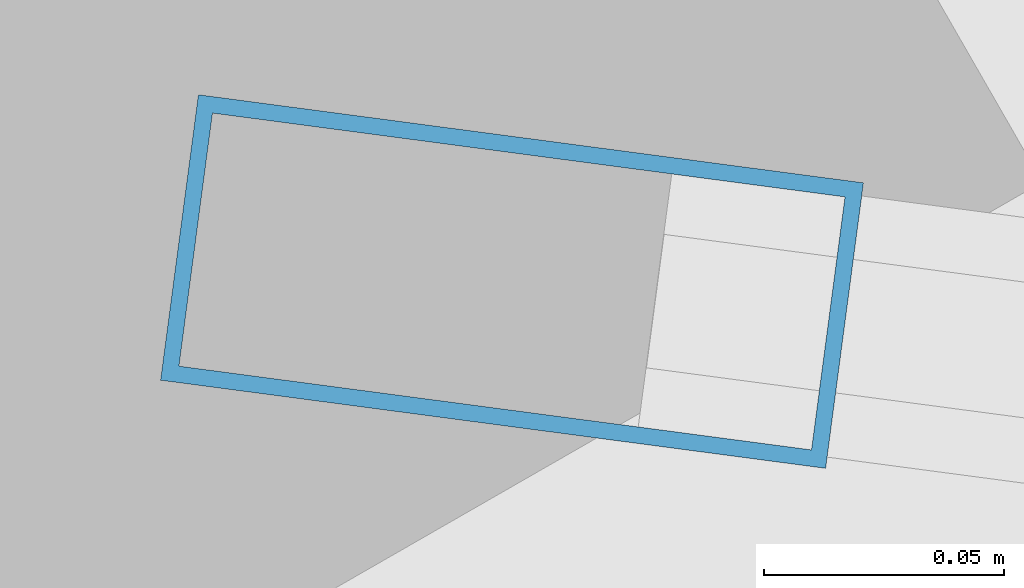
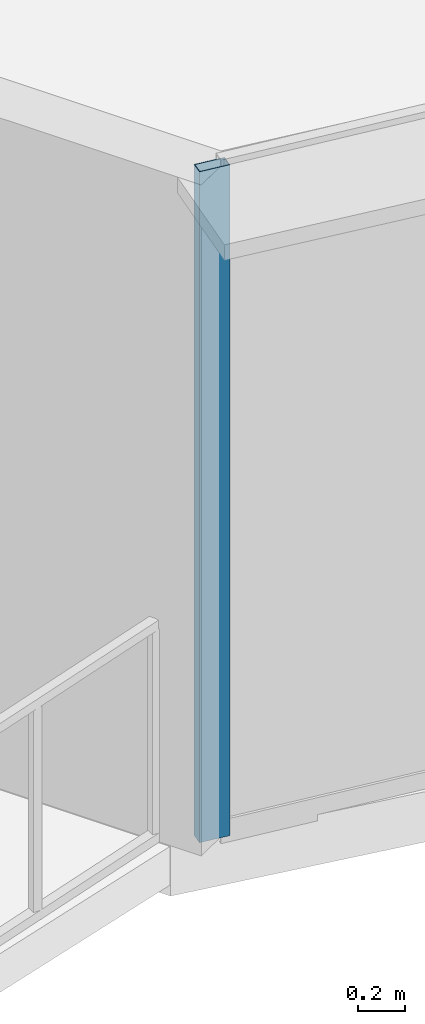
# One storey, part 2 of 37: 1 member, 1 element without a shape of its own.
"""IFC4 building model written with IfcOpenShell, lengths in metres."""

from ifc_helpers import new_model, si_unit, direction, frame, origin, origin_2d, place, context, subcontext, project, spatial, hollow_rectangle, extrude, source, transform, mapped, material, layer, layer_set, material_profile, profile_set, type_object, element, aggregate, save


model = new_model("IFC4")

# Units and contexts
model_context = context("Model", 3, precision=1e-05, world=origin(), true_north=direction((0.0, 1.0)))
body_context = subcontext(model_context, "Body", "Model", "MODEL_VIEW")
ifc_project = project(units=[si_unit("LENGTHUNIT", "METRE"), si_unit("AREAUNIT", "SQUARE_METRE"), si_unit("VOLUMEUNIT", "CUBIC_METRE"), si_unit("PLANEANGLEUNIT", "RADIAN"), si_unit("MASSUNIT", "GRAM", prefix="KILO"), si_unit("THERMODYNAMICTEMPERATUREUNIT", "KELVIN"), si_unit("POWERUNIT", "WATT")], contexts=[model_context])

# Site, building, storey
site_placement = place(None, origin())
site = spatial("IfcSite", under=ifc_project, at=site_placement, CompositionType="ELEMENT")
building_placement = place(site_placement, origin())
building = spatial("IfcBuilding", under=site, at=building_placement, Name="Yunzhuo Pagoda Commons", CompositionType="ELEMENT")
storey_placement = place(building_placement, frame((0.0, 0.0, 281.2900390625)))
storey = spatial("IfcBuildingStorey", under=building, at=storey_placement, Name="L70", CompositionType="ELEMENT", Elevation=281.2900390625)

# Curtain wall, member
ifc_material = material(Name="Anodized aluminium 6063-T6", Category="aluminium")
ifc_layer = layer(ifc_material, 0.139892578125)
ifc_layer_set = layer_set([ifc_layer], Name="Anodized aluminium 6063-T6")
curtain_wall_type = type_object("IfcCurtainWallType", Name="CW-HI High-Zone Ribbon Curtain Wall", PredefinedType="NOTDEFINED", material=ifc_layer_set)
curtain_wall_placement = place(storey_placement, origin())
curtain_wall = element("IfcCurtainWall", 1, at=curtain_wall_placement, inside=storey, type_object=curtain_wall_type, Name="L70 curtain wall CW-L70-F1B1", PredefinedType="NOTDEFINED")
ifc_material_profile = material_profile(ifc_material, hollow_rectangle(XDim=0.06005859375, YDim=0.139892578125, WallThickness=0.00341796875, at=origin_2d()), Name="Anodized aluminium 6063-T6")
ifc_profile_set = profile_set([ifc_material_profile], Name="Anodized aluminium 6063-T6")
member_type = type_object("IfcMemberType", Name="CW-HI-M Mullion RHS 140x60x3.5", PredefinedType="MULLION", material=ifc_profile_set)
shared_shape = source(origin(), body_context, "Body", "SweptSolid", [
    extrude(hollow_rectangle(XDim=0.06005859375, YDim=0.139892578125, WallThickness=0.00341796875, at=origin_2d()), origin(), (0.0, 0.0, 1.0), 3.469970703125),
])
member_placement = place(storey_placement, frame((19.035888671875, 20.89306640625, 0.0), z_axis=(0.0, 0.0, 1.0), x_axis=(0.131311416098, 0.991341168318, 0.0)))
member = element("IfcMember", 2, at=member_placement, type_object=member_type, Name="CW mullion 1", PredefinedType="MULLION", context=body_context, shape_type="MappedRepresentation", body=[
    mapped(shared_shape, transform((0.0, 0.0, 0.0), scale=1.0)),
])
aggregate(curtain_wall, [member])

save(model, "model.ifc")
